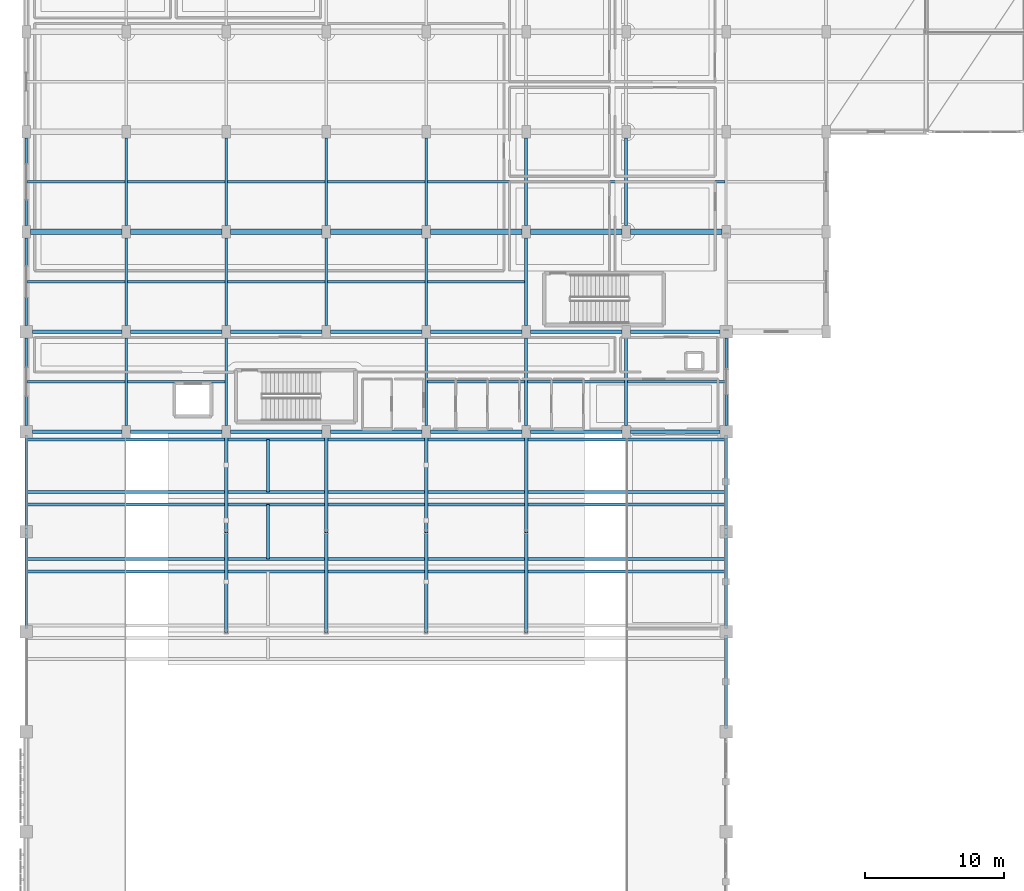
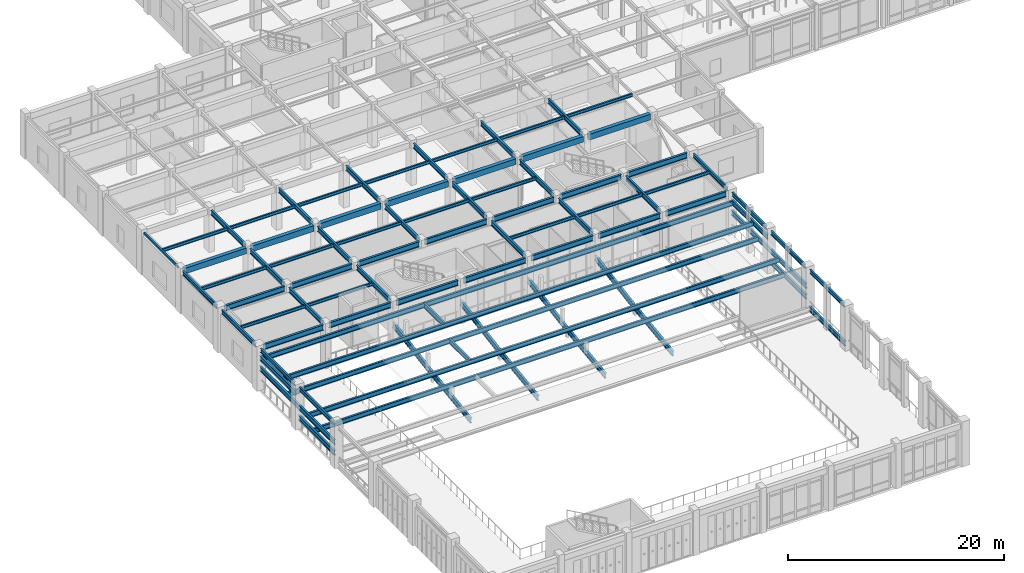
# One storey, part 19 of 117: 85 beams.
"""IFC4 building model written with IfcOpenShell, lengths in metres."""

from ifc_helpers import new_model, si_unit, direction, frame, origin, origin_2d, place, context, subcontext, project, spatial, rectangle, hollow_rectangle, i_section, extrude, material, material_profile, profile_set, type_object, element, save


model = new_model("IFC4")

# Units and contexts
model_context = context("Model", 3, precision=1e-05, world=origin(), true_north=direction((0.0, 1.0)))
body_context = subcontext(model_context, "Body", "Model", "MODEL_VIEW")
ifc_project = project(units=[si_unit("LENGTHUNIT", "METRE"), si_unit("AREAUNIT", "SQUARE_METRE"), si_unit("VOLUMEUNIT", "CUBIC_METRE"), si_unit("PLANEANGLEUNIT", "RADIAN"), si_unit("MASSUNIT", "GRAM", prefix="KILO")], contexts=[model_context])

# Site, building, storey
site_placement = place(None, origin())
site = spatial("IfcSite", under=ifc_project, at=site_placement, CompositionType="ELEMENT")
building_placement = place(site_placement, origin())
building = spatial("IfcBuilding", under=site, at=building_placement, Name="Carrowvane Square Congress Hotel", CompositionType="ELEMENT")
storey_placement = place(building_placement, frame((0.0, 0.0, 5.39990234375)))
storey = spatial("IfcBuildingStorey", under=building, at=storey_placement, Name="L01", CompositionType="ELEMENT", Elevation=5.39990234375)

# Beams
ifc_material_1 = material(Name="Concrete C35/45", Category="concrete")
ifc_material_profile_1 = material_profile(ifc_material_1, rectangle(XDim=0.39990234375, YDim=0.64990234375, at=origin_2d()), Name="RC 400x650")
ifc_profile_set_1 = profile_set([ifc_material_profile_1], Name="Concrete C35/45")
beam_type_1 = type_object("IfcBeamType", Name="BM-RC-400x650", PredefinedType="BEAM", material=ifc_profile_set_1)
beam_1_placement = place(storey_placement, frame((11.89990234375, 63.0, 4.455078125), z_axis=(1.0, 0.0, 0.0), x_axis=(0.0, 1.0, 0.0)))
element("IfcBeam", 1, at=beam_1_placement, inside=storey, type_object=beam_type_1, Name="L02 girder J/1-2", PredefinedType="BEAM", context=body_context, shape_type="SweptSolid", body=[
    extrude(rectangle(XDim=0.39990234375, YDim=0.64990234375, at=origin_2d()), origin(), (0.0, 0.0, 1.0), 6.60009765625),
])
for number, where, z_axis, x_axis, name in (
    (2, (19.10009765625, 63.0, 4.455078125), (1.0, 0.0, 0.0), (0.0, 1.0, 0.0), "L02 girder J/2-3"),
    (3, (26.300048828125, 63.0, 4.455078125), (1.0, 0.0, 0.0), (0.0, 1.0, 0.0), "L02 girder J/3-4"),
):
    element("IfcBeam", number, at=place(storey_placement, frame(where, z_axis=z_axis, x_axis=x_axis)), inside=storey, type_object=beam_type_1, Name=name, PredefinedType="BEAM", context=body_context, shape_type="SweptSolid", body=[
        extrude(rectangle(XDim=0.39990234375, YDim=0.64990234375, at=origin_2d()), origin(), (0.0, 0.0, 1.0), 6.599853515625),
    ])
for number, where, z_axis, x_axis, name in (
    (4, (33.5, 63.0, 4.455078125), (1.0, 0.0, 0.0), (0.0, 1.0, 0.0), "L02 girder J/4-5"),
    (5, (40.699951171875, 63.0, 4.455078125), (1.0, 0.0, 0.0), (0.0, 1.0, 0.0), "L02 girder J/5-6"),
    (6, (47.89990234375, 63.0, 4.455078125), (1.0, 0.0, 0.0), (0.0, 1.0, 0.0), "L02 girder J/6-7"),
):
    element("IfcBeam", number, at=place(storey_placement, frame(where, z_axis=z_axis, x_axis=x_axis)), inside=storey, type_object=beam_type_1, Name=name, PredefinedType="BEAM", context=body_context, shape_type="SweptSolid", body=[
        extrude(rectangle(XDim=0.39990234375, YDim=0.64990234375, at=origin_2d()), origin(), (0.0, 0.0, 1.0), 6.60009765625),
    ])
beam_2_placement = place(storey_placement, frame((55.10009765625, 63.0, 4.455078125), z_axis=(1.0, 0.0, 0.0), x_axis=(0.0, 1.0, 0.0)))
element("IfcBeam", 7, at=beam_2_placement, inside=storey, type_object=beam_type_1, Name="L02 girder J/7-8", PredefinedType="BEAM", context=body_context, shape_type="SweptSolid", body=[
    extrude(rectangle(XDim=0.39990234375, YDim=0.64990234375, at=origin_2d()), origin(), (0.0, 0.0, 1.0), 6.599853515625),
])
ifc_material_2 = material(Name="Steel S355", Category="steel")
ifc_material_profile_2 = material_profile(ifc_material_2, hollow_rectangle(XDim=0.14990234375, YDim=0.25, WallThickness=0.012451171875, at=origin_2d()), Name="RHS 250x150x12.5")
ifc_profile_set_2 = profile_set([ifc_material_profile_2], Name="Steel S355")
beam_type_2 = type_object("IfcBeamType", Name="BM-ST-RHS250", PredefinedType="SPANDREL", material=ifc_profile_set_2)
beam_3_placement = place(storey_placement, frame((11.60009765625, 63.449951171875, 4.655029296875), z_axis=(0.0, 1.0, 0.0), x_axis=(-1.0, 0.0, 0.0)))
element("IfcBeam", 8, at=beam_3_placement, inside=storey, type_object=beam_type_2, Name="L02 girder 1/J-K", PredefinedType="SPANDREL", context=body_context, shape_type="SweptSolid", body=[
    extrude(hollow_rectangle(XDim=0.14990234375, YDim=0.25, WallThickness=0.012451171875, at=origin_2d()), origin(), (0.0, 0.0, 1.0), 6.300048828125),
])
ifc_material_3 = material(Name="Steel S355", Category="steel")
ifc_material_profile_3 = material_profile(ifc_material_3, i_section(OverallWidth=0.172119140625, OverallDepth=0.35791015625, WebThickness=0.008056640625, FlangeThickness=0.012939453125, FilletRadius=0.01025390625, at=origin_2d()), Name="UKB 356x171x57")
ifc_profile_set_3 = profile_set([ifc_material_profile_3], Name="Steel S355")
beam_type_3 = type_object("IfcBeamType", Name="BM-ST-UKB356", PredefinedType="JOIST", material=ifc_profile_set_3)
for number, where, z_axis, x_axis, name in (
    (9, (11.695556640625, 52.199951171875, 4.60107421875), (1.0, 0.0, 0.0), (0.0, 1.0, 0.0), "L02 secondary joist 1-2"),
    (10, (11.695556640625, 59.39990234375, 4.60107421875), (1.0, 0.0, 0.0), (0.0, 1.0, 0.0), "L02 secondary joist 1-2"),
):
    element("IfcBeam", number, at=place(storey_placement, frame(where, z_axis=z_axis, x_axis=x_axis)), inside=storey, type_object=beam_type_3, Name=name, PredefinedType="JOIST", context=body_context, shape_type="SweptSolid", body=[
        extrude(i_section(OverallWidth=0.172119140625, OverallDepth=0.35791015625, WebThickness=0.008056640625, FlangeThickness=0.012939453125, FilletRadius=0.01025390625, at=origin_2d()), origin(), (0.0, 0.0, 1.0), 6.99951171875),
    ])
beam_4_placement = place(storey_placement, frame((11.675048828125, 66.60009765625, 4.60107421875), z_axis=(1.0, 0.0, 0.0), x_axis=(0.0, 1.0, 0.0)))
element("IfcBeam", 11, at=beam_4_placement, inside=storey, type_object=beam_type_3, Name="L02 secondary joist 1-2", PredefinedType="JOIST", context=body_context, shape_type="SweptSolid", body=[
    extrude(i_section(OverallWidth=0.172119140625, OverallDepth=0.35791015625, WebThickness=0.008056640625, FlangeThickness=0.012939453125, FilletRadius=0.01025390625, at=origin_2d()), origin(), (0.0, 0.0, 1.0), 7.02001953125),
])
for number, where, z_axis, x_axis, name in (
    (12, (18.905029296875, 52.199951171875, 4.60107421875), (1.0, 0.0, 0.0), (0.0, 1.0, 0.0), "L02 secondary joist 2-3"),
    (13, (18.905029296875, 59.39990234375, 4.60107421875), (1.0, 0.0, 0.0), (0.0, 1.0, 0.0), "L02 secondary joist 2-3"),
    (14, (18.905029296875, 66.60009765625, 4.60107421875), (1.0, 0.0, 0.0), (0.0, 1.0, 0.0), "L02 secondary joist 2-3"),
    (15, (26.10498046875, 59.39990234375, 4.60107421875), (1.0, 0.0, 0.0), (0.0, 1.0, 0.0), "L02 secondary joist 3-4"),
    (16, (26.10498046875, 66.60009765625, 4.60107421875), (1.0, 0.0, 0.0), (0.0, 1.0, 0.0), "L02 secondary joist 3-4"),
    (17, (33.304931640625, 59.39990234375, 4.60107421875), (1.0, 0.0, 0.0), (0.0, 1.0, 0.0), "L02 secondary joist 4-5"),
    (18, (33.304931640625, 66.60009765625, 4.60107421875), (1.0, 0.0, 0.0), (0.0, 1.0, 0.0), "L02 secondary joist 4-5"),
):
    element("IfcBeam", number, at=place(storey_placement, frame(where, z_axis=z_axis, x_axis=x_axis)), inside=storey, type_object=beam_type_3, Name=name, PredefinedType="JOIST", context=body_context, shape_type="SweptSolid", body=[
        extrude(i_section(OverallWidth=0.172119140625, OverallDepth=0.35791015625, WebThickness=0.008056640625, FlangeThickness=0.012939453125, FilletRadius=0.01025390625, at=origin_2d()), origin(), (0.0, 0.0, 1.0), 6.989990234375),
    ])
for number, where, z_axis, x_axis, name in (
    (19, (40.5048828125, 52.199951171875, 4.60107421875), (1.0, 0.0, 0.0), (0.0, 1.0, 0.0), "L02 secondary joist 5-6"),
    (20, (40.5048828125, 59.39990234375, 4.60107421875), (1.0, 0.0, 0.0), (0.0, 1.0, 0.0), "L02 secondary joist 5-6"),
    (21, (40.5048828125, 66.60009765625, 4.60107421875), (1.0, 0.0, 0.0), (0.0, 1.0, 0.0), "L02 secondary joist 5-6"),
):
    element("IfcBeam", number, at=place(storey_placement, frame(where, z_axis=z_axis, x_axis=x_axis)), inside=storey, type_object=beam_type_3, Name=name, PredefinedType="JOIST", context=body_context, shape_type="SweptSolid", body=[
        extrude(i_section(OverallWidth=0.172119140625, OverallDepth=0.35791015625, WebThickness=0.008056640625, FlangeThickness=0.012939453125, FilletRadius=0.01025390625, at=origin_2d()), origin(), (0.0, 0.0, 1.0), 6.990234375),
    ])
for number, where, z_axis, x_axis, name in (
    (22, (47.705078125, 52.199951171875, 4.60107421875), (1.0, 0.0, 0.0), (0.0, 1.0, 0.0), "L02 secondary joist 6-7"),
    (23, (47.705078125, 66.60009765625, 4.60107421875), (1.0, 0.0, 0.0), (0.0, 1.0, 0.0), "L02 secondary joist 6-7"),
):
    element("IfcBeam", number, at=place(storey_placement, frame(where, z_axis=z_axis, x_axis=x_axis)), inside=storey, type_object=beam_type_3, Name=name, PredefinedType="JOIST", context=body_context, shape_type="SweptSolid", body=[
        extrude(i_section(OverallWidth=0.172119140625, OverallDepth=0.35791015625, WebThickness=0.008056640625, FlangeThickness=0.012939453125, FilletRadius=0.01025390625, at=origin_2d()), origin(), (0.0, 0.0, 1.0), 6.989990234375),
    ])
beam_5_placement = place(storey_placement, frame((54.905029296875, 52.199951171875, 4.60107421875), z_axis=(1.0, 0.0, 0.0), x_axis=(0.0, 1.0, 0.0)))
element("IfcBeam", 24, at=beam_5_placement, inside=storey, type_object=beam_type_3, Name="L02 secondary joist 7-8", PredefinedType="JOIST", context=body_context, shape_type="SweptSolid", body=[
    extrude(i_section(OverallWidth=0.172119140625, OverallDepth=0.35791015625, WebThickness=0.008056640625, FlangeThickness=0.012939453125, FilletRadius=0.01025390625, at=origin_2d()), origin(), (0.0, 0.0, 1.0), 6.999267578125),
])
beam_6_placement = place(storey_placement, frame((54.905029296875, 66.60009765625, 4.60107421875), z_axis=(1.0, 0.0, 0.0), x_axis=(0.0, 1.0, 0.0)))
element("IfcBeam", 25, at=beam_6_placement, inside=storey, type_object=beam_type_3, Name="L02 secondary joist 7-8", PredefinedType="JOIST", context=body_context, shape_type="SweptSolid", body=[
    extrude(i_section(OverallWidth=0.172119140625, OverallDepth=0.35791015625, WebThickness=0.008056640625, FlangeThickness=0.012939453125, FilletRadius=0.01025390625, at=origin_2d()), origin(), (0.0, 0.0, 1.0), 7.02001953125),
])
ifc_material_4 = material(Name="Steel S355", Category="steel")
ifc_material_profile_4 = material_profile(ifc_material_4, i_section(OverallWidth=0.19140625, OverallDepth=0.4599609375, WebThickness=0.010009765625, FlangeThickness=0.01611328125, FilletRadius=0.01025390625, at=origin_2d()), Name="UKB 457x191x82")
ifc_profile_set_4 = profile_set([ifc_material_profile_4], Name="Steel S355")
beam_type_4 = type_object("IfcBeamType", Name="BM-ST-UKB457", PredefinedType="SPANDREL", material=ifc_profile_set_4)
beam_7_placement = place(storey_placement, frame((11.60009765625, 34.64990234375, 4.550048828125), z_axis=(0.0, 1.0, 0.0), x_axis=(-1.0, 0.0, 0.0)))
element("IfcBeam", 26, at=beam_7_placement, inside=storey, type_object=beam_type_4, Name="L02 girder 1/E-F", PredefinedType="SPANDREL", context=body_context, shape_type="SweptSolid", body=[
    extrude(i_section(OverallWidth=0.19140625, OverallDepth=0.4599609375, WebThickness=0.010009765625, FlangeThickness=0.01611328125, FilletRadius=0.01025390625, at=origin_2d()), origin(), (0.0, 0.0, 1.0), 6.300048828125),
])
beam_8_placement = place(storey_placement, frame((11.60009765625, 41.85009765625, 4.550048828125), z_axis=(0.0, 1.0, 0.0), x_axis=(-1.0, 0.0, 0.0)))
element("IfcBeam", 27, at=beam_8_placement, inside=storey, type_object=beam_type_4, Name="L02 girder 1/F-G", PredefinedType="SPANDREL", context=body_context, shape_type="SweptSolid", body=[
    extrude(i_section(OverallWidth=0.19140625, OverallDepth=0.4599609375, WebThickness=0.010009765625, FlangeThickness=0.01611328125, FilletRadius=0.01025390625, at=origin_2d()), origin(), (0.0, 0.0, 1.0), 6.2998046875),
])
for number, where, z_axis, x_axis, name in (
    (28, (11.60009765625, 49.050048828125, 4.550048828125), (0.0, 1.0, 0.0), (-1.0, 0.0, 0.0), "L02 girder 1/G-H"),
    (29, (11.60009765625, 56.25, 4.550048828125), (0.0, 1.0, 0.0), (-1.0, 0.0, 0.0), "L02 girder 1/H-J"),
    (30, (62.0, 27.449951171875, 4.550048828125), (0.0, 1.0, 0.0), (-1.0, 0.0, 0.0), "L02 girder 8/D-E"),
    (31, (62.0, 34.64990234375, 4.550048828125), (0.0, 1.0, 0.0), (-1.0, 0.0, 0.0), "L02 girder 8/E-F"),
):
    element("IfcBeam", number, at=place(storey_placement, frame(where, z_axis=z_axis, x_axis=x_axis)), inside=storey, type_object=beam_type_4, Name=name, PredefinedType="SPANDREL", context=body_context, shape_type="SweptSolid", body=[
        extrude(i_section(OverallWidth=0.19140625, OverallDepth=0.4599609375, WebThickness=0.010009765625, FlangeThickness=0.01611328125, FilletRadius=0.01025390625, at=origin_2d()), origin(), (0.0, 0.0, 1.0), 6.300048828125),
    ])
beam_9_placement = place(storey_placement, frame((62.0, 41.85009765625, 4.550048828125), z_axis=(0.0, 1.0, 0.0), x_axis=(-1.0, 0.0, 0.0)))
element("IfcBeam", 32, at=beam_9_placement, inside=storey, type_object=beam_type_4, Name="L02 girder 8/F-G", PredefinedType="SPANDREL", context=body_context, shape_type="SweptSolid", body=[
    extrude(i_section(OverallWidth=0.19140625, OverallDepth=0.4599609375, WebThickness=0.010009765625, FlangeThickness=0.01611328125, FilletRadius=0.01025390625, at=origin_2d()), origin(), (0.0, 0.0, 1.0), 6.2998046875),
])
beam_10_placement = place(storey_placement, frame((62.0, 49.050048828125, 4.550048828125), z_axis=(0.0, 1.0, 0.0), x_axis=(-1.0, 0.0, 0.0)))
element("IfcBeam", 33, at=beam_10_placement, inside=storey, type_object=beam_type_4, Name="L02 girder 8/G-H", PredefinedType="SPANDREL", context=body_context, shape_type="SweptSolid", body=[
    extrude(i_section(OverallWidth=0.19140625, OverallDepth=0.4599609375, WebThickness=0.010009765625, FlangeThickness=0.01611328125, FilletRadius=0.01025390625, at=origin_2d()), origin(), (0.0, 0.0, 1.0), 6.300048828125),
])
ifc_material_5 = material(Name="Steel S355", Category="steel")
ifc_material_profile_5 = material_profile(ifc_material_5, i_section(OverallWidth=0.2099609375, OverallDepth=0.53662109375, WebThickness=0.0107421875, FlangeThickness=0.017333984375, FilletRadius=0.0126953125, at=origin_2d()), Name="UKB 533x210x101")
ifc_profile_set_5 = profile_set([ifc_material_profile_5], Name="Steel S355")
beam_type_5 = type_object("IfcBeamType", Name="BM-ST-UKB533", PredefinedType="USERDEFINED", material=ifc_profile_set_5)
for number, where, z_axis, x_axis, name in (
    (34, (18.800048828125, 49.050048828125, 4.51171875), (0.0, 1.0, 0.0), (-1.0, 0.0, 0.0), "L02 girder 2/G-H"),
    (35, (18.800048828125, 56.25, 4.51171875), (0.0, 1.0, 0.0), (-1.0, 0.0, 0.0), "L02 girder 2/H-J"),
    (36, (18.800048828125, 63.449951171875, 4.51171875), (0.0, 1.0, 0.0), (-1.0, 0.0, 0.0), "L02 girder 2/J-K"),
    (37, (26.0, 49.050048828125, 4.51171875), (0.0, 1.0, 0.0), (-1.0, 0.0, 0.0), "L02 girder 3/G-H"),
    (38, (26.0, 56.25, 4.51171875), (0.0, 1.0, 0.0), (-1.0, 0.0, 0.0), "L02 girder 3/H-J"),
    (39, (26.0, 63.449951171875, 4.51171875), (0.0, 1.0, 0.0), (-1.0, 0.0, 0.0), "L02 girder 3/J-K"),
    (40, (33.199951171875, 56.25, 4.51171875), (0.0, 1.0, 0.0), (-1.0, 0.0, 0.0), "L02 girder 4/H-J"),
    (41, (33.199951171875, 63.449951171875, 4.51171875), (0.0, 1.0, 0.0), (-1.0, 0.0, 0.0), "L02 girder 4/J-K"),
    (42, (40.39990234375, 49.050048828125, 4.51171875), (0.0, 1.0, 0.0), (-1.0, 0.0, 0.0), "L02 girder 5/G-H"),
    (43, (40.39990234375, 56.25, 4.51171875), (0.0, 1.0, 0.0), (-1.0, 0.0, 0.0), "L02 girder 5/H-J"),
    (44, (40.39990234375, 63.449951171875, 4.51171875), (0.0, 1.0, 0.0), (-1.0, 0.0, 0.0), "L02 girder 5/J-K"),
    (45, (47.60009765625, 49.050048828125, 4.51171875), (0.0, 1.0, 0.0), (-1.0, 0.0, 0.0), "L02 girder 6/G-H"),
    (46, (47.60009765625, 56.25, 4.51171875), (0.0, 1.0, 0.0), (-1.0, 0.0, 0.0), "L02 girder 6/H-J"),
    (47, (47.60009765625, 63.449951171875, 4.51171875), (0.0, 1.0, 0.0), (-1.0, 0.0, 0.0), "L02 girder 6/J-K"),
    (48, (54.800048828125, 49.050048828125, 4.51171875), (0.0, 1.0, 0.0), (-1.0, 0.0, 0.0), "L02 girder 7/G-H"),
    (49, (54.800048828125, 63.449951171875, 4.51171875), (0.0, 1.0, 0.0), (-1.0, 0.0, 0.0), "L02 girder 7/J-K"),
):
    element("IfcBeam", number, at=place(storey_placement, frame(where, z_axis=z_axis, x_axis=x_axis)), inside=storey, type_object=beam_type_5, Name=name, ObjectType="GIRDER", PredefinedType="USERDEFINED", context=body_context, shape_type="SweptSolid", body=[
        extrude(i_section(OverallWidth=0.2099609375, OverallDepth=0.53662109375, WebThickness=0.0107421875, FlangeThickness=0.017333984375, FilletRadius=0.0126953125, at=origin_2d()), origin(), (0.0, 0.0, 1.0), 6.300048828125),
    ])
for number, where, z_axis, x_axis, name in (
    (50, (11.60009765625, 34.449951171875, 1.231689453125), (0.0, 1.0, 0.0), (-1.0, 0.0, 0.0), "L01 circle tier 1 W header girder"),
    (51, (62.0, 34.449951171875, 1.231689453125), (0.0, 1.0, 0.0), (-1.0, 0.0, 0.0), "L01 circle tier 1 E header girder"),
):
    element("IfcBeam", number, at=place(storey_placement, frame(where, z_axis=z_axis, x_axis=x_axis)), inside=storey, type_object=beam_type_5, Name=name, ObjectType="GIRDER", PredefinedType="USERDEFINED", context=body_context, shape_type="SweptSolid", body=[
        extrude(i_section(OverallWidth=0.2099609375, OverallDepth=0.53662109375, WebThickness=0.0107421875, FlangeThickness=0.017333984375, FilletRadius=0.0126953125, at=origin_2d()), origin(), (0.0, 0.0, 1.0), 6.699951171875),
    ])
beam_11_placement = place(storey_placement, frame((11.60009765625, 38.550048828125, 1.231689453125), z_axis=(1.0, 0.0, 0.0), x_axis=(0.0, 1.0, 0.0)))
element("IfcBeam", 52, at=beam_11_placement, inside=storey, type_object=beam_type_5, Name="L01 circle tier 1 bearer girder 2", ObjectType="GIRDER", PredefinedType="USERDEFINED", context=body_context, shape_type="SweptSolid", body=[
    extrude(i_section(OverallWidth=0.2099609375, OverallDepth=0.53662109375, WebThickness=0.0107421875, FlangeThickness=0.017333984375, FilletRadius=0.0126953125, at=origin_2d()), origin(), (0.0, 0.0, 1.0), 50.39990234375),
])
for number, where, z_axis, x_axis, name in (
    (53, (11.60009765625, 34.449951171875, 2.431640625), (0.0, 1.0, 0.0), (-1.0, 0.0, 0.0), "L01 circle tier 2 W header girder"),
    (54, (62.0, 34.449951171875, 2.431640625), (0.0, 1.0, 0.0), (-1.0, 0.0, 0.0), "L01 circle tier 2 E header girder"),
):
    element("IfcBeam", number, at=place(storey_placement, frame(where, z_axis=z_axis, x_axis=x_axis)), inside=storey, type_object=beam_type_5, Name=name, ObjectType="GIRDER", PredefinedType="USERDEFINED", context=body_context, shape_type="SweptSolid", body=[
        extrude(i_section(OverallWidth=0.2099609375, OverallDepth=0.53662109375, WebThickness=0.0107421875, FlangeThickness=0.017333984375, FilletRadius=0.0126953125, at=origin_2d()), origin(), (0.0, 0.0, 1.0), 13.900146484375),
    ])
for number, where, z_axis, x_axis, name in (
    (55, (11.60009765625, 39.449951171875, 2.431640625), (1.0, 0.0, 0.0), (0.0, 1.0, 0.0), "L01 circle tier 2 bearer girder 1"),
    (56, (11.60009765625, 43.35009765625, 2.431640625), (1.0, 0.0, 0.0), (0.0, 1.0, 0.0), "L01 circle tier 2 bearer girder 2"),
):
    element("IfcBeam", number, at=place(storey_placement, frame(where, z_axis=z_axis, x_axis=x_axis)), inside=storey, type_object=beam_type_5, Name=name, ObjectType="GIRDER", PredefinedType="USERDEFINED", context=body_context, shape_type="SweptSolid", body=[
        extrude(i_section(OverallWidth=0.2099609375, OverallDepth=0.53662109375, WebThickness=0.0107421875, FlangeThickness=0.017333984375, FilletRadius=0.0126953125, at=origin_2d()), origin(), (0.0, 0.0, 1.0), 50.39990234375),
    ])
beam_12_placement = place(storey_placement, frame((29.0, 39.449951171875, 2.431640625), z_axis=(0.0, 1.0, 0.0), x_axis=(-1.0, 0.0, 0.0)))
element("IfcBeam", 57, at=beam_12_placement, inside=storey, type_object=beam_type_5, Name="L01 circle tier 2 cross beam", ObjectType="GIRDER", PredefinedType="USERDEFINED", context=body_context, shape_type="SweptSolid", body=[
    extrude(i_section(OverallWidth=0.2099609375, OverallDepth=0.53662109375, WebThickness=0.0107421875, FlangeThickness=0.017333984375, FilletRadius=0.0126953125, at=origin_2d()), origin(), (0.0, 0.0, 1.0), 3.900146484375),
])
for number, where, z_axis, x_axis, name in (
    (58, (11.60009765625, 41.64990234375, 3.6318359375), (0.0, 1.0, 0.0), (-1.0, 0.0, 0.0), "L01 circle tier 3 W header girder"),
    (59, (62.0, 41.64990234375, 3.6318359375), (0.0, 1.0, 0.0), (-1.0, 0.0, 0.0), "L01 circle tier 3 E header girder"),
):
    element("IfcBeam", number, at=place(storey_placement, frame(where, z_axis=z_axis, x_axis=x_axis)), inside=storey, type_object=beam_type_5, Name=name, ObjectType="GIRDER", PredefinedType="USERDEFINED", context=body_context, shape_type="SweptSolid", body=[
        extrude(i_section(OverallWidth=0.2099609375, OverallDepth=0.53662109375, WebThickness=0.0107421875, FlangeThickness=0.017333984375, FilletRadius=0.0126953125, at=origin_2d()), origin(), (0.0, 0.0, 1.0), 6.7001953125),
    ])
for number, where, z_axis, x_axis, name in (
    (60, (11.60009765625, 44.25, 3.6318359375), (1.0, 0.0, 0.0), (0.0, 1.0, 0.0), "L01 circle tier 3 bearer girder 1"),
    (61, (11.60009765625, 48.050048828125, 3.6318359375), (1.0, 0.0, 0.0), (0.0, 1.0, 0.0), "L01 circle tier 3 bearer girder 2"),
):
    element("IfcBeam", number, at=place(storey_placement, frame(where, z_axis=z_axis, x_axis=x_axis)), inside=storey, type_object=beam_type_5, Name=name, ObjectType="GIRDER", PredefinedType="USERDEFINED", context=body_context, shape_type="SweptSolid", body=[
        extrude(i_section(OverallWidth=0.2099609375, OverallDepth=0.53662109375, WebThickness=0.0107421875, FlangeThickness=0.017333984375, FilletRadius=0.0126953125, at=origin_2d()), origin(), (0.0, 0.0, 1.0), 50.39990234375),
    ])
beam_13_placement = place(storey_placement, frame((29.0, 44.25, 3.6318359375), z_axis=(0.0, 1.0, 0.0), x_axis=(-1.0, 0.0, 0.0)))
element("IfcBeam", 62, at=beam_13_placement, inside=storey, type_object=beam_type_5, Name="L01 circle tier 3 cross beam", ObjectType="GIRDER", PredefinedType="USERDEFINED", context=body_context, shape_type="SweptSolid", body=[
    extrude(i_section(OverallWidth=0.2099609375, OverallDepth=0.53662109375, WebThickness=0.0107421875, FlangeThickness=0.017333984375, FilletRadius=0.0126953125, at=origin_2d()), origin(), (0.0, 0.0, 1.0), 3.800048828125),
])
beam_14_placement = place(storey_placement, frame((62.0, 27.25, 0.3017578125), z_axis=(0.0, 1.0, 0.0), x_axis=(-1.0, 0.0, 0.0)))
element("IfcBeam", 63, at=beam_14_placement, inside=storey, type_object=beam_type_5, Name="L01 circle tier 4 E header girder", ObjectType="GIRDER", PredefinedType="USERDEFINED", context=body_context, shape_type="SweptSolid", body=[
    extrude(i_section(OverallWidth=0.2099609375, OverallDepth=0.53662109375, WebThickness=0.0107421875, FlangeThickness=0.017333984375, FilletRadius=0.0126953125, at=origin_2d()), origin(), (0.0, 0.0, 1.0), 6.699951171875),
])
ifc_material_6 = material(Name="Steel S355", Category="steel")
ifc_material_profile_6 = material_profile(ifc_material_6, i_section(OverallWidth=0.22900390625, OverallDepth=0.6123046875, WebThickness=0.011962890625, FlangeThickness=0.01953125, FilletRadius=0.0126953125, at=origin_2d()), Name="UKB 610x229x125")
ifc_profile_set_6 = profile_set([ifc_material_profile_6], Name="Steel S355")
beam_type_6 = type_object("IfcBeamType", Name="BM-ST-UKB610A", PredefinedType="USERDEFINED", material=ifc_profile_set_6)
beam_15_placement = place(storey_placement, frame((12.050048828125, 48.60009765625, 4.473876953125), z_axis=(1.0, 0.0, 0.0), x_axis=(0.0, 1.0, 0.0)))
element("IfcBeam", 64, at=beam_15_placement, inside=storey, type_object=beam_type_6, Name="L02 girder G/1-2", ObjectType="GIRDER", PredefinedType="USERDEFINED", context=body_context, shape_type="SweptSolid", body=[
    extrude(i_section(OverallWidth=0.22900390625, OverallDepth=0.6123046875, WebThickness=0.011962890625, FlangeThickness=0.01953125, FilletRadius=0.0126953125, at=origin_2d()), origin(), (0.0, 0.0, 1.0), 6.449951171875),
])
for number, where, z_axis, x_axis, name in (
    (65, (19.10009765625, 48.60009765625, 4.473876953125), (1.0, 0.0, 0.0), (0.0, 1.0, 0.0), "L02 girder G/2-3"),
    (66, (26.300048828125, 48.60009765625, 4.473876953125), (1.0, 0.0, 0.0), (0.0, 1.0, 0.0), "L02 girder G/3-4"),
):
    element("IfcBeam", number, at=place(storey_placement, frame(where, z_axis=z_axis, x_axis=x_axis)), inside=storey, type_object=beam_type_6, Name=name, ObjectType="GIRDER", PredefinedType="USERDEFINED", context=body_context, shape_type="SweptSolid", body=[
        extrude(i_section(OverallWidth=0.22900390625, OverallDepth=0.6123046875, WebThickness=0.011962890625, FlangeThickness=0.01953125, FilletRadius=0.0126953125, at=origin_2d()), origin(), (0.0, 0.0, 1.0), 6.599853515625),
    ])
for number, where, z_axis, x_axis, name in (
    (67, (33.5, 48.60009765625, 4.473876953125), (1.0, 0.0, 0.0), (0.0, 1.0, 0.0), "L02 girder G/4-5"),
    (68, (40.699951171875, 48.60009765625, 4.473876953125), (1.0, 0.0, 0.0), (0.0, 1.0, 0.0), "L02 girder G/5-6"),
    (69, (47.89990234375, 48.60009765625, 4.473876953125), (1.0, 0.0, 0.0), (0.0, 1.0, 0.0), "L02 girder G/6-7"),
):
    element("IfcBeam", number, at=place(storey_placement, frame(where, z_axis=z_axis, x_axis=x_axis)), inside=storey, type_object=beam_type_6, Name=name, ObjectType="GIRDER", PredefinedType="USERDEFINED", context=body_context, shape_type="SweptSolid", body=[
        extrude(i_section(OverallWidth=0.22900390625, OverallDepth=0.6123046875, WebThickness=0.011962890625, FlangeThickness=0.01953125, FilletRadius=0.0126953125, at=origin_2d()), origin(), (0.0, 0.0, 1.0), 6.60009765625),
    ])
for number, where, z_axis, x_axis, name in (
    (70, (55.10009765625, 48.60009765625, 4.473876953125), (1.0, 0.0, 0.0), (0.0, 1.0, 0.0), "L02 girder G/7-8"),
    (71, (12.050048828125, 55.800048828125, 4.473876953125), (1.0, 0.0, 0.0), (0.0, 1.0, 0.0), "L02 girder H/1-2"),
):
    element("IfcBeam", number, at=place(storey_placement, frame(where, z_axis=z_axis, x_axis=x_axis)), inside=storey, type_object=beam_type_6, Name=name, ObjectType="GIRDER", PredefinedType="USERDEFINED", context=body_context, shape_type="SweptSolid", body=[
        extrude(i_section(OverallWidth=0.22900390625, OverallDepth=0.6123046875, WebThickness=0.011962890625, FlangeThickness=0.01953125, FilletRadius=0.0126953125, at=origin_2d()), origin(), (0.0, 0.0, 1.0), 6.449951171875),
    ])
for number, where, z_axis, x_axis, name in (
    (72, (19.10009765625, 55.800048828125, 4.473876953125), (1.0, 0.0, 0.0), (0.0, 1.0, 0.0), "L02 girder H/2-3"),
    (73, (26.300048828125, 55.800048828125, 4.473876953125), (1.0, 0.0, 0.0), (0.0, 1.0, 0.0), "L02 girder H/3-4"),
):
    element("IfcBeam", number, at=place(storey_placement, frame(where, z_axis=z_axis, x_axis=x_axis)), inside=storey, type_object=beam_type_6, Name=name, ObjectType="GIRDER", PredefinedType="USERDEFINED", context=body_context, shape_type="SweptSolid", body=[
        extrude(i_section(OverallWidth=0.22900390625, OverallDepth=0.6123046875, WebThickness=0.011962890625, FlangeThickness=0.01953125, FilletRadius=0.0126953125, at=origin_2d()), origin(), (0.0, 0.0, 1.0), 6.599853515625),
    ])
for number, where, z_axis, x_axis, name in (
    (74, (33.5, 55.800048828125, 4.473876953125), (1.0, 0.0, 0.0), (0.0, 1.0, 0.0), "L02 girder H/4-5"),
    (75, (40.699951171875, 55.800048828125, 4.473876953125), (1.0, 0.0, 0.0), (0.0, 1.0, 0.0), "L02 girder H/5-6"),
    (76, (47.89990234375, 55.800048828125, 4.473876953125), (1.0, 0.0, 0.0), (0.0, 1.0, 0.0), "L02 girder H/6-7"),
):
    element("IfcBeam", number, at=place(storey_placement, frame(where, z_axis=z_axis, x_axis=x_axis)), inside=storey, type_object=beam_type_6, Name=name, ObjectType="GIRDER", PredefinedType="USERDEFINED", context=body_context, shape_type="SweptSolid", body=[
        extrude(i_section(OverallWidth=0.22900390625, OverallDepth=0.6123046875, WebThickness=0.011962890625, FlangeThickness=0.01953125, FilletRadius=0.0126953125, at=origin_2d()), origin(), (0.0, 0.0, 1.0), 6.60009765625),
    ])
beam_16_placement = place(storey_placement, frame((55.10009765625, 55.800048828125, 4.473876953125), z_axis=(1.0, 0.0, 0.0), x_axis=(0.0, 1.0, 0.0)))
element("IfcBeam", 77, at=beam_16_placement, inside=storey, type_object=beam_type_6, Name="L02 girder H/7-8", ObjectType="GIRDER", PredefinedType="USERDEFINED", context=body_context, shape_type="SweptSolid", body=[
    extrude(i_section(OverallWidth=0.22900390625, OverallDepth=0.6123046875, WebThickness=0.011962890625, FlangeThickness=0.01953125, FilletRadius=0.0126953125, at=origin_2d()), origin(), (0.0, 0.0, 1.0), 6.449951171875),
])
ifc_material_7 = material(Name="Steel S355", Category="steel")
ifc_material_profile_7 = material_profile(ifc_material_7, i_section(OverallWidth=0.22900390625, OverallDepth=0.6123046875, WebThickness=0.011962890625, FlangeThickness=0.01953125, FilletRadius=0.0126953125, at=origin_2d()), Name="UKB 610x229x125")
ifc_profile_set_7 = profile_set([ifc_material_profile_7], Name="Steel S355")
beam_type_7 = type_object("IfcBeamType", Name="RK-ST-UKB610", PredefinedType="USERDEFINED", material=ifc_profile_set_7)
beam_17_placement = place(storey_placement, frame((26.0, 34.199951171875, 0.0), z_axis=(0.0, 0.991403761302, 0.130837999355), x_axis=(-1.0, 0.0, 0.0)))
element("IfcBeam", 78, at=beam_17_placement, inside=storey, type_object=beam_type_7, Name="L01 Plenary circle raker beam 1.1", ObjectType="RAKER", PredefinedType="USERDEFINED", context=body_context, shape_type="SweptSolid", body=[
    extrude(i_section(OverallWidth=0.22900390625, OverallDepth=0.6123046875, WebThickness=0.011962890625, FlangeThickness=0.01953125, FilletRadius=0.0126953125, at=origin_2d()), origin(), (0.0, 0.0, 1.0), 7.262451171875),
])
beam_18_placement = place(storey_placement, frame((26.0, 41.39990234375, 0.9501953125), z_axis=(0.0, 0.986395731676, 0.164388139875), x_axis=(-1.0, 0.0, 0.0)))
element("IfcBeam", 79, at=beam_18_placement, inside=storey, type_object=beam_type_7, Name="L01 Plenary circle raker beam 1.2", ObjectType="RAKER", PredefinedType="USERDEFINED", context=body_context, shape_type="SweptSolid", body=[
    extrude(i_section(OverallWidth=0.22900390625, OverallDepth=0.6123046875, WebThickness=0.011962890625, FlangeThickness=0.01953125, FilletRadius=0.0126953125, at=origin_2d()), origin(), (0.0, 0.0, 1.0), 7.299560546875),
])
beam_19_placement = place(storey_placement, frame((33.199951171875, 34.199951171875, 0.0), z_axis=(0.0, 0.991403761302, 0.130837999355), x_axis=(-1.0, 0.0, 0.0)))
element("IfcBeam", 80, at=beam_19_placement, inside=storey, type_object=beam_type_7, Name="L01 Plenary circle raker beam 2.1", ObjectType="RAKER", PredefinedType="USERDEFINED", context=body_context, shape_type="SweptSolid", body=[
    extrude(i_section(OverallWidth=0.22900390625, OverallDepth=0.6123046875, WebThickness=0.011962890625, FlangeThickness=0.01953125, FilletRadius=0.0126953125, at=origin_2d()), origin(), (0.0, 0.0, 1.0), 7.262451171875),
])
beam_20_placement = place(storey_placement, frame((33.199951171875, 41.39990234375, 0.9501953125), z_axis=(0.0, 0.986395731676, 0.164388139875), x_axis=(-1.0, 0.0, 0.0)))
element("IfcBeam", 81, at=beam_20_placement, inside=storey, type_object=beam_type_7, Name="L01 Plenary circle raker beam 2.2", ObjectType="RAKER", PredefinedType="USERDEFINED", context=body_context, shape_type="SweptSolid", body=[
    extrude(i_section(OverallWidth=0.22900390625, OverallDepth=0.6123046875, WebThickness=0.011962890625, FlangeThickness=0.01953125, FilletRadius=0.0126953125, at=origin_2d()), origin(), (0.0, 0.0, 1.0), 7.299560546875),
])
beam_21_placement = place(storey_placement, frame((40.39990234375, 34.199951171875, 0.0), z_axis=(0.0, 0.991403761302, 0.130837999355), x_axis=(-1.0, 0.0, 0.0)))
element("IfcBeam", 82, at=beam_21_placement, inside=storey, type_object=beam_type_7, Name="L01 Plenary circle raker beam 3.1", ObjectType="RAKER", PredefinedType="USERDEFINED", context=body_context, shape_type="SweptSolid", body=[
    extrude(i_section(OverallWidth=0.22900390625, OverallDepth=0.6123046875, WebThickness=0.011962890625, FlangeThickness=0.01953125, FilletRadius=0.0126953125, at=origin_2d()), origin(), (0.0, 0.0, 1.0), 7.262451171875),
])
beam_22_placement = place(storey_placement, frame((40.39990234375, 41.39990234375, 0.9501953125), z_axis=(0.0, 0.986395731676, 0.164388139875), x_axis=(-1.0, 0.0, 0.0)))
element("IfcBeam", 83, at=beam_22_placement, inside=storey, type_object=beam_type_7, Name="L01 Plenary circle raker beam 3.2", ObjectType="RAKER", PredefinedType="USERDEFINED", context=body_context, shape_type="SweptSolid", body=[
    extrude(i_section(OverallWidth=0.22900390625, OverallDepth=0.6123046875, WebThickness=0.011962890625, FlangeThickness=0.01953125, FilletRadius=0.0126953125, at=origin_2d()), origin(), (0.0, 0.0, 1.0), 7.299560546875),
])
beam_23_placement = place(storey_placement, frame((47.60009765625, 34.199951171875, 0.0), z_axis=(0.0, 0.991403761302, 0.130837999355), x_axis=(-1.0, 0.0, 0.0)))
element("IfcBeam", 84, at=beam_23_placement, inside=storey, type_object=beam_type_7, Name="L01 Plenary circle raker beam 4.1", ObjectType="RAKER", PredefinedType="USERDEFINED", context=body_context, shape_type="SweptSolid", body=[
    extrude(i_section(OverallWidth=0.22900390625, OverallDepth=0.6123046875, WebThickness=0.011962890625, FlangeThickness=0.01953125, FilletRadius=0.0126953125, at=origin_2d()), origin(), (0.0, 0.0, 1.0), 7.262451171875),
])
beam_24_placement = place(storey_placement, frame((47.60009765625, 41.39990234375, 0.9501953125), z_axis=(0.0, 0.986395731676, 0.164388139875), x_axis=(-1.0, 0.0, 0.0)))
element("IfcBeam", 85, at=beam_24_placement, inside=storey, type_object=beam_type_7, Name="L01 Plenary circle raker beam 4.2", ObjectType="RAKER", PredefinedType="USERDEFINED", context=body_context, shape_type="SweptSolid", body=[
    extrude(i_section(OverallWidth=0.22900390625, OverallDepth=0.6123046875, WebThickness=0.011962890625, FlangeThickness=0.01953125, FilletRadius=0.0126953125, at=origin_2d()), origin(), (0.0, 0.0, 1.0), 7.299560546875),
])

save(model, "model.ifc")
